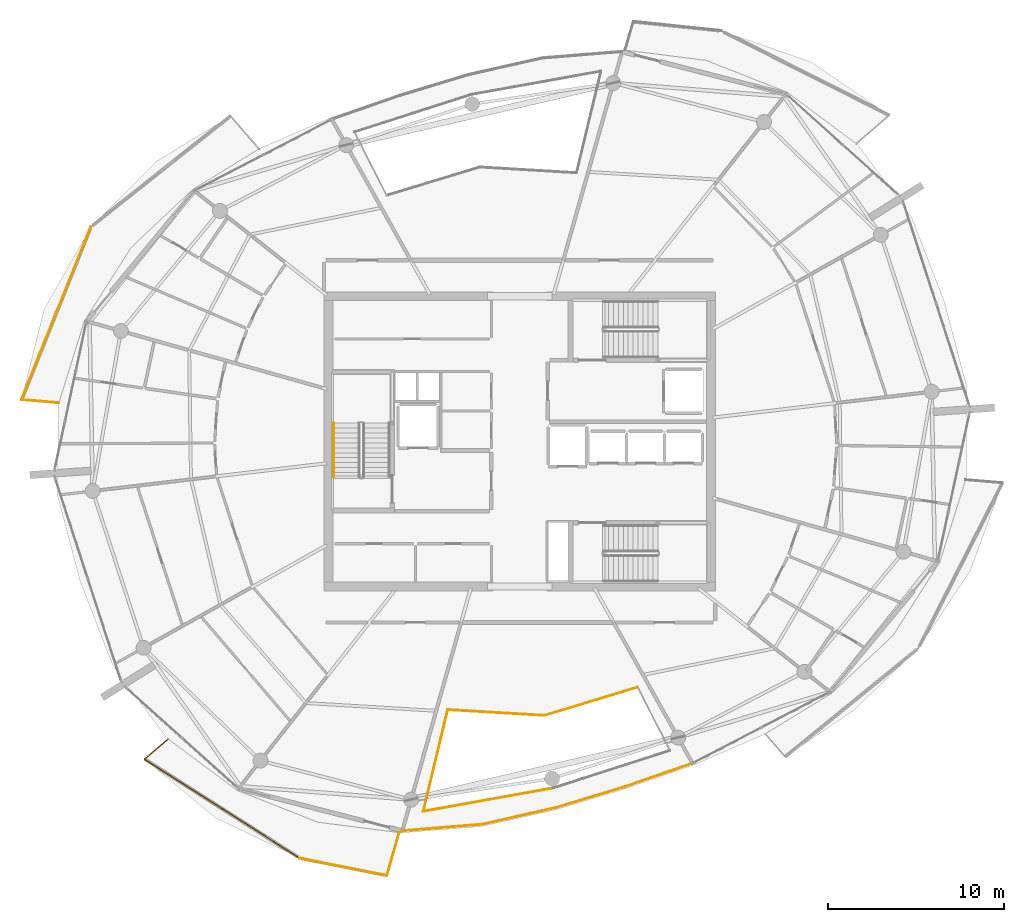
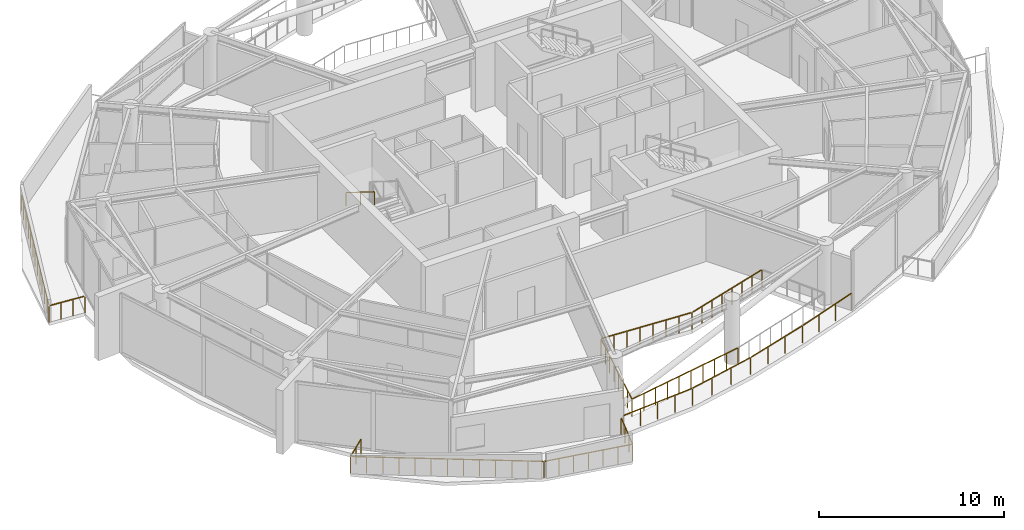
# One storey, part 18 of 22: 12 railings.
"""IFC4 building model written with IfcOpenShell, lengths in metres."""

from ifc_helpers import new_model, si_unit, direction, frame, origin, origin_2d, place, context, subcontext, project, spatial, rectangle, extrude, material, type_object, element, save


model = new_model("IFC4")

# Units and contexts
model_context = context("Model", 3, precision=1e-05, world=origin(), true_north=direction((0.0, 1.0)))
body_context = subcontext(model_context, "Body", "Model", "MODEL_VIEW")
ifc_project = project(units=[si_unit("LENGTHUNIT", "METRE"), si_unit("AREAUNIT", "SQUARE_METRE"), si_unit("VOLUMEUNIT", "CUBIC_METRE"), si_unit("PLANEANGLEUNIT", "RADIAN"), si_unit("MASSUNIT", "GRAM", prefix="KILO")], contexts=[model_context])

# Site, building, storey
site_placement = place(None, origin())
site = spatial("IfcSite", under=ifc_project, at=site_placement, CompositionType="ELEMENT")
building_placement = place(site_placement, origin())
building = spatial("IfcBuilding", under=site, at=building_placement, Name="Kazma Halo Residences", CompositionType="ELEMENT")
storey_placement = place(building_placement, frame((0.0, 0.0, 330.5)))
storey = spatial("IfcBuildingStorey", under=building, at=storey_placement, Name="L83", CompositionType="ELEMENT", Elevation=330.5)

# Railings
ifc_material_1 = material(Name="Aluminium AW-6063 T6 Brushed Cap Rail", Category="aluminium")
railing_type_1 = type_object("IfcRailingType", Name="RLG-BAL-CAP-1120", PredefinedType="BALUSTRADE", material=ifc_material_1)
railing_1_placement = place(storey_placement, frame((24.037841796875, 54.20947265625, 0.0)))
element("IfcRailing", 1, at=railing_1_placement, inside=storey, type_object=railing_type_1, Name="L83 NW wave balcony guard 3", PredefinedType="BALUSTRADE", context=body_context, shape_type="SweptSolid", body=[
    extrude(rectangle(XDim=0.050048828125, YDim=0.050048828125, at=origin_2d()), frame((-0.015869140625, -0.03955078125, 1.09521484375), z_axis=(-0.37226386395, -0.928126939377, 0.0), x_axis=(0.928126939377, -0.37226386395, 0.0)), (0.0, 0.0, 1.0), 10.518310546875),
    extrude(rectangle(XDim=0.0400390625, YDim=0.0400390625, at=origin_2d()), origin(), (0.0, 0.0, 1.0), 1.05810546875),
    extrude(rectangle(XDim=0.0400390625, YDim=0.0400390625, at=origin_2d()), frame((-0.328857421875, -0.820068359375, 0.0)), (0.0, 0.0, 1.0), 1.05810546875),
    extrude(rectangle(XDim=0.0400390625, YDim=0.0400390625, at=origin_2d()), frame((-0.657958984375, -1.64013671875, 0.0)), (0.0, 0.0, 1.0), 1.05810546875),
    extrude(rectangle(XDim=0.0400390625, YDim=0.0400390625, at=origin_2d()), frame((-0.98681640625, -2.46044921875, 0.0)), (0.0, 0.0, 1.0), 1.05810546875),
    extrude(rectangle(XDim=0.0400390625, YDim=0.0400390625, at=origin_2d()), frame((-1.315673828125, -3.280517578125, 0.0)), (0.0, 0.0, 1.0), 1.05810546875),
    extrude(rectangle(XDim=0.0400390625, YDim=0.0400390625, at=origin_2d()), frame((-1.644775390625, -4.1005859375, 0.0)), (0.0, 0.0, 1.0), 1.05810546875),
    extrude(rectangle(XDim=0.0400390625, YDim=0.0400390625, at=origin_2d()), frame((-1.9736328125, -4.920654296875, 0.0)), (0.0, 0.0, 1.0), 1.05810546875),
    extrude(rectangle(XDim=0.0400390625, YDim=0.0400390625, at=origin_2d()), frame((-2.302490234375, -5.74072265625, 0.0)), (0.0, 0.0, 1.0), 1.05810546875),
    extrude(rectangle(XDim=0.0400390625, YDim=0.0400390625, at=origin_2d()), frame((-2.631591796875, -6.560791015625, 0.0)), (0.0, 0.0, 1.0), 1.05810546875),
    extrude(rectangle(XDim=0.0400390625, YDim=0.0400390625, at=origin_2d()), frame((-2.96044921875, -7.380859375, 0.0)), (0.0, 0.0, 1.0), 1.05810546875),
    extrude(rectangle(XDim=0.0400390625, YDim=0.0400390625, at=origin_2d()), frame((-3.289306640625, -8.201171875, 0.0)), (0.0, 0.0, 1.0), 1.05810546875),
    extrude(rectangle(XDim=0.0400390625, YDim=0.0400390625, at=origin_2d()), frame((-3.618408203125, -9.021240234375, 0.0)), (0.0, 0.0, 1.0), 1.05810546875),
    extrude(rectangle(XDim=0.0400390625, YDim=0.0400390625, at=origin_2d()), frame((-3.947265625, -9.84130859375, 0.0)), (0.0, 0.0, 1.0), 1.05810546875),
])
railing_2_placement = place(storey_placement, frame((20.090576171875, 44.3681640625, 0.0)))
element("IfcRailing", 2, at=railing_2_placement, inside=storey, type_object=railing_type_1, Name="L83 NW wave balcony guard 4", PredefinedType="BALUSTRADE", context=body_context, shape_type="SweptSolid", body=[
    extrude(rectangle(XDim=0.050048828125, YDim=0.050048828125, at=origin_2d()), frame((0.04248046875, -0.003662109375, 1.09521484375), z_axis=(0.99641552549, -0.084593738312, 0.0), x_axis=(0.084593738312, 0.99641552549, 0.0)), (0.0, 0.0, 1.0), 2.0419921875),
    extrude(rectangle(XDim=0.0400390625, YDim=0.0400390625, at=origin_2d()), origin(), (0.0, 0.0, 1.0), 1.05810546875),
    extrude(rectangle(XDim=0.0400390625, YDim=0.0400390625, at=origin_2d()), frame((0.70654296875, -0.06005859375, 0.0)), (0.0, 0.0, 1.0), 1.05810546875),
    extrude(rectangle(XDim=0.0400390625, YDim=0.0400390625, at=origin_2d()), frame((1.412841796875, -0.119873046875, 0.0)), (0.0, 0.0, 1.0), 1.05810546875),
    extrude(rectangle(XDim=0.0400390625, YDim=0.0400390625, at=origin_2d()), frame((2.119384765625, -0.179931640625, 0.0)), (0.0, 0.0, 1.0), 1.05810546875),
])
railing_3_placement = place(storey_placement, frame((28.421630859375, 25.070556640625, 0.0)))
element("IfcRailing", 3, at=railing_3_placement, inside=storey, type_object=railing_type_1, Name="L83 SW wave balcony guard 1", PredefinedType="BALUSTRADE", context=body_context, shape_type="SweptSolid", body=[
    extrude(rectangle(XDim=0.050048828125, YDim=0.050048828125, at=origin_2d()), frame((-0.0322265625, -0.02783203125, 1.09521484375), z_axis=(-0.756404061743, -0.654104651702, 0.0), x_axis=(0.654104651702, -0.756404061743, 0.0)), (0.0, 0.0, 1.0), 1.67138671875),
    extrude(rectangle(XDim=0.0400390625, YDim=0.0400390625, at=origin_2d()), origin(), (0.0, 0.0, 1.0), 1.05810546875),
    extrude(rectangle(XDim=0.0400390625, YDim=0.0400390625, at=origin_2d()), frame((-0.664306640625, -0.574462890625, 0.0)), (0.0, 0.0, 1.0), 1.05810546875),
    extrude(rectangle(XDim=0.0400390625, YDim=0.0400390625, at=origin_2d()), frame((-1.32861328125, -1.14892578125, 0.0)), (0.0, 0.0, 1.0), 1.05810546875),
])
railing_4_placement = place(storey_placement, frame((27.093017578125, 23.921630859375, 0.0)))
element("IfcRailing", 4, at=railing_4_placement, inside=storey, type_object=railing_type_1, Name="L83 SW wave balcony guard 2", PredefinedType="BALUSTRADE", context=body_context, shape_type="SweptSolid", body=[
    extrude(rectangle(XDim=0.050048828125, YDim=0.050048828125, at=origin_2d()), frame((0.035888671875, -0.02294921875, 1.09521484375), z_axis=(0.842930984743, -0.538021704915, 0.0), x_axis=(0.538021704915, 0.842930984743, 0.0)), (0.0, 0.0, 1.0), 10.384765625),
    extrude(rectangle(XDim=0.0400390625, YDim=0.0400390625, at=origin_2d()), origin(), (0.0, 0.0, 1.0), 1.05810546875),
    extrude(rectangle(XDim=0.0400390625, YDim=0.0400390625, at=origin_2d()), frame((0.7353515625, -0.469482421875, 0.0)), (0.0, 0.0, 1.0), 1.05810546875),
    extrude(rectangle(XDim=0.0400390625, YDim=0.0400390625, at=origin_2d()), frame((1.470947265625, -0.93896484375, 0.0)), (0.0, 0.0, 1.0), 1.05810546875),
    extrude(rectangle(XDim=0.0400390625, YDim=0.0400390625, at=origin_2d()), frame((2.206298828125, -1.408203125, 0.0)), (0.0, 0.0, 1.0), 1.05810546875),
    extrude(rectangle(XDim=0.0400390625, YDim=0.0400390625, at=origin_2d()), frame((2.94189453125, -1.877685546875, 0.0)), (0.0, 0.0, 1.0), 1.05810546875),
    extrude(rectangle(XDim=0.0400390625, YDim=0.0400390625, at=origin_2d()), frame((3.67724609375, -2.34716796875, 0.0)), (0.0, 0.0, 1.0), 1.05810546875),
    extrude(rectangle(XDim=0.0400390625, YDim=0.0400390625, at=origin_2d()), frame((4.41259765625, -2.81640625, 0.0)), (0.0, 0.0, 1.0), 1.05810546875),
    extrude(rectangle(XDim=0.0400390625, YDim=0.0400390625, at=origin_2d()), frame((5.148193359375, -3.285888671875, 0.0)), (0.0, 0.0, 1.0), 1.05810546875),
    extrude(rectangle(XDim=0.0400390625, YDim=0.0400390625, at=origin_2d()), frame((5.883544921875, -3.75537109375, 0.0)), (0.0, 0.0, 1.0), 1.05810546875),
    extrude(rectangle(XDim=0.0400390625, YDim=0.0400390625, at=origin_2d()), frame((6.619140625, -4.224853515625, 0.0)), (0.0, 0.0, 1.0), 1.05810546875),
    extrude(rectangle(XDim=0.0400390625, YDim=0.0400390625, at=origin_2d()), frame((7.3544921875, -4.6943359375, 0.0)), (0.0, 0.0, 1.0), 1.05810546875),
    extrude(rectangle(XDim=0.0400390625, YDim=0.0400390625, at=origin_2d()), frame((8.090087890625, -5.16357421875, 0.0)), (0.0, 0.0, 1.0), 1.05810546875),
    extrude(rectangle(XDim=0.0400390625, YDim=0.0400390625, at=origin_2d()), frame((8.825439453125, -5.633056640625, 0.0)), (0.0, 0.0, 1.0), 1.05810546875),
])
railing_5_placement = place(storey_placement, frame((35.91845703125, 18.28857421875, 0.0)))
element("IfcRailing", 5, at=railing_5_placement, inside=storey, type_object=railing_type_1, Name="L83 SW wave balcony guard 3", PredefinedType="BALUSTRADE", context=body_context, shape_type="SweptSolid", body=[
    extrude(rectangle(XDim=0.050048828125, YDim=0.050048828125, at=origin_2d()), frame((0.041748046875, -0.00830078125, 1.09521484375), z_axis=(0.980860412957, -0.194712224306, 0.0), x_axis=(0.194712224306, 0.980860412957, 0.0)), (0.0, 0.0, 1.0), 4.96533203125),
    extrude(rectangle(XDim=0.0400390625, YDim=0.0400390625, at=origin_2d()), origin(), (0.0, 0.0, 1.0), 1.05810546875),
    extrude(rectangle(XDim=0.0400390625, YDim=0.0400390625, at=origin_2d()), frame((0.82568359375, -0.163818359375, 0.0)), (0.0, 0.0, 1.0), 1.05810546875),
    extrude(rectangle(XDim=0.0400390625, YDim=0.0400390625, at=origin_2d()), frame((1.6513671875, -0.327880859375, 0.0)), (0.0, 0.0, 1.0), 1.05810546875),
    extrude(rectangle(XDim=0.0400390625, YDim=0.0400390625, at=origin_2d()), frame((2.47705078125, -0.49169921875, 0.0)), (0.0, 0.0, 1.0), 1.05810546875),
    extrude(rectangle(XDim=0.0400390625, YDim=0.0400390625, at=origin_2d()), frame((3.302490234375, -0.655517578125, 0.0)), (0.0, 0.0, 1.0), 1.05810546875),
    extrude(rectangle(XDim=0.0400390625, YDim=0.0400390625, at=origin_2d()), frame((4.128173828125, -0.819580078125, 0.0)), (0.0, 0.0, 1.0), 1.05810546875),
    extrude(rectangle(XDim=0.0400390625, YDim=0.0400390625, at=origin_2d()), frame((4.953857421875, -0.9833984375, 0.0)), (0.0, 0.0, 1.0), 1.05810546875),
])
railing_6_placement = place(storey_placement, frame((40.872314453125, 17.30517578125, 0.0)))
element("IfcRailing", 6, at=railing_6_placement, inside=storey, type_object=railing_type_1, Name="L83 SW wave balcony guard 4", PredefinedType="BALUSTRADE", context=body_context, shape_type="SweptSolid", body=[
    extrude(rectangle(XDim=0.050048828125, YDim=0.050048828125, at=origin_2d()), frame((0.01171875, 0.040771484375, 1.09521484375), z_axis=(0.277271555913, 0.960791592533, 0.0), x_axis=(-0.960791592533, 0.277271555913, 0.0)), (0.0, 0.0, 1.0), 2.455078125),
    extrude(rectangle(XDim=0.0400390625, YDim=0.0400390625, at=origin_2d()), origin(), (0.0, 0.0, 1.0), 1.05810546875),
    extrude(rectangle(XDim=0.0400390625, YDim=0.0400390625, at=origin_2d()), frame((0.23486328125, 0.8134765625, 0.0)), (0.0, 0.0, 1.0), 1.05810546875),
    extrude(rectangle(XDim=0.0400390625, YDim=0.0400390625, at=origin_2d()), frame((0.469482421875, 1.627197265625, 0.0)), (0.0, 0.0, 1.0), 1.05810546875),
    extrude(rectangle(XDim=0.0400390625, YDim=0.0400390625, at=origin_2d()), frame((0.704345703125, 2.440673828125, 0.0)), (0.0, 0.0, 1.0), 1.05810546875),
])
ifc_material_2 = material(Name="Brushed Stainless Steel and Laminated Glass", Category="steel")
railing_type_2 = type_object("IfcRailingType", Name="RLG-EXT-GUARD-1150", PredefinedType="GUARDRAIL", material=ifc_material_2)
railing_7_placement = place(storey_placement, frame((44.3349609375, 26.73388671875, 0.0)))
element("IfcRailing", 7, at=railing_7_placement, inside=storey, type_object=railing_type_2, Name="L83 upper wind-portal edge guard 2.1", PredefinedType="GUARDRAIL", context=body_context, shape_type="SweptSolid", body=[
    extrude(rectangle(XDim=0.050048828125, YDim=0.050048828125, at=origin_2d()), frame((0.04248046875, -0.00244140625, 1.125), z_axis=(0.998263068552, -0.058913886013, 0.0), x_axis=(0.058913886013, 0.998263068552, 0.0)), (0.0, 0.0, 1.0), 5.434814453125),
    extrude(rectangle(XDim=0.0400390625, YDim=0.0400390625, at=origin_2d()), origin(), (0.0, 0.0, 1.0), 1.087890625),
    extrude(rectangle(XDim=0.0400390625, YDim=0.0400390625, at=origin_2d()), frame((0.787109375, -0.04638671875, 0.0)), (0.0, 0.0, 1.0), 1.087890625),
    extrude(rectangle(XDim=0.0400390625, YDim=0.0400390625, at=origin_2d()), frame((1.574462890625, -0.093017578125, 0.0)), (0.0, 0.0, 1.0), 1.087890625),
    extrude(rectangle(XDim=0.0400390625, YDim=0.0400390625, at=origin_2d()), frame((2.361572265625, -0.139404296875, 0.0)), (0.0, 0.0, 1.0), 1.087890625),
    extrude(rectangle(XDim=0.0400390625, YDim=0.0400390625, at=origin_2d()), frame((3.148681640625, -0.185791015625, 0.0)), (0.0, 0.0, 1.0), 1.087890625),
    extrude(rectangle(XDim=0.0400390625, YDim=0.0400390625, at=origin_2d()), frame((3.935791015625, -0.232177734375, 0.0)), (0.0, 0.0, 1.0), 1.087890625),
    extrude(rectangle(XDim=0.0400390625, YDim=0.0400390625, at=origin_2d()), frame((4.72314453125, -0.27880859375, 0.0)), (0.0, 0.0, 1.0), 1.087890625),
    extrude(rectangle(XDim=0.0400390625, YDim=0.0400390625, at=origin_2d()), frame((5.51025390625, -0.3251953125, 0.0)), (0.0, 0.0, 1.0), 1.087890625),
])
railing_8_placement = place(storey_placement, frame((49.84521484375, 26.40869140625, 0.0)))
element("IfcRailing", 8, at=railing_8_placement, inside=storey, type_object=railing_type_2, Name="L83 upper wind-portal edge guard 2.2", PredefinedType="GUARDRAIL", context=body_context, shape_type="SweptSolid", body=[
    extrude(rectangle(XDim=0.050048828125, YDim=0.050048828125, at=origin_2d()), frame((0.040771484375, 0.012451171875, 1.125), z_axis=(0.956934342561, 0.290304433358, 0.0), x_axis=(-0.290304433358, 0.956934342561, 0.0)), (0.0, 0.0, 1.0), 5.43505859375),
    extrude(rectangle(XDim=0.0400390625, YDim=0.0400390625, at=origin_2d()), origin(), (0.0, 0.0, 1.0), 1.087890625),
    extrude(rectangle(XDim=0.0400390625, YDim=0.0400390625, at=origin_2d()), frame((0.754638671875, 0.22900390625, 0.0)), (0.0, 0.0, 1.0), 1.087890625),
    extrude(rectangle(XDim=0.0400390625, YDim=0.0400390625, at=origin_2d()), frame((1.50927734375, 0.457763671875, 0.0)), (0.0, 0.0, 1.0), 1.087890625),
    extrude(rectangle(XDim=0.0400390625, YDim=0.0400390625, at=origin_2d()), frame((2.263916015625, 0.686767578125, 0.0)), (0.0, 0.0, 1.0), 1.087890625),
    extrude(rectangle(XDim=0.0400390625, YDim=0.0400390625, at=origin_2d()), frame((3.0185546875, 0.915771484375, 0.0)), (0.0, 0.0, 1.0), 1.087890625),
    extrude(rectangle(XDim=0.0400390625, YDim=0.0400390625, at=origin_2d()), frame((3.773193359375, 1.144775390625, 0.0)), (0.0, 0.0, 1.0), 1.087890625),
    extrude(rectangle(XDim=0.0400390625, YDim=0.0400390625, at=origin_2d()), frame((4.52783203125, 1.37353515625, 0.0)), (0.0, 0.0, 1.0), 1.087890625),
    extrude(rectangle(XDim=0.0400390625, YDim=0.0400390625, at=origin_2d()), frame((5.282470703125, 1.6025390625, 0.0)), (0.0, 0.0, 1.0), 1.087890625),
])
railing_9_placement = place(storey_placement, frame((50.333984375, 22.2802734375, 0.0)))
element("IfcRailing", 9, at=railing_9_placement, inside=storey, type_object=railing_type_2, Name="L83 upper wind-portal edge guard 2.5", PredefinedType="GUARDRAIL", context=body_context, shape_type="SweptSolid", body=[
    extrude(rectangle(XDim=0.050048828125, YDim=0.050048828125, at=origin_2d()), frame((-0.0419921875, -0.007568359375, 1.125), z_axis=(-0.984235798799, -0.176861223455, 0.0), x_axis=(0.176861223455, -0.984235798799, 0.0)), (0.0, 0.0, 1.0), 7.420166015625),
    extrude(rectangle(XDim=0.0400390625, YDim=0.0400390625, at=origin_2d()), origin(), (0.0, 0.0, 1.0), 1.087890625),
    extrude(rectangle(XDim=0.0400390625, YDim=0.0400390625, at=origin_2d()), frame((-0.82080078125, -0.1474609375, 0.0)), (0.0, 0.0, 1.0), 1.087890625),
    extrude(rectangle(XDim=0.0400390625, YDim=0.0400390625, at=origin_2d()), frame((-1.6416015625, -0.294921875, 0.0)), (0.0, 0.0, 1.0), 1.087890625),
    extrude(rectangle(XDim=0.0400390625, YDim=0.0400390625, at=origin_2d()), frame((-2.46240234375, -0.4423828125, 0.0)), (0.0, 0.0, 1.0), 1.087890625),
    extrude(rectangle(XDim=0.0400390625, YDim=0.0400390625, at=origin_2d()), frame((-3.283203125, -0.58984375, 0.0)), (0.0, 0.0, 1.0), 1.087890625),
    extrude(rectangle(XDim=0.0400390625, YDim=0.0400390625, at=origin_2d()), frame((-4.103759765625, -0.737548828125, 0.0)), (0.0, 0.0, 1.0), 1.087890625),
    extrude(rectangle(XDim=0.0400390625, YDim=0.0400390625, at=origin_2d()), frame((-4.924560546875, -0.885009765625, 0.0)), (0.0, 0.0, 1.0), 1.087890625),
    extrude(rectangle(XDim=0.0400390625, YDim=0.0400390625, at=origin_2d()), frame((-5.745361328125, -1.032470703125, 0.0)), (0.0, 0.0, 1.0), 1.087890625),
    extrude(rectangle(XDim=0.0400390625, YDim=0.0400390625, at=origin_2d()), frame((-6.566162109375, -1.179931640625, 0.0)), (0.0, 0.0, 1.0), 1.087890625),
    extrude(rectangle(XDim=0.0400390625, YDim=0.0400390625, at=origin_2d()), frame((-7.386962890625, -1.327392578125, 0.0)), (0.0, 0.0, 1.0), 1.087890625),
])
railing_10_placement = place(storey_placement, frame((42.947021484375, 20.952880859375, 0.0)))
element("IfcRailing", 10, at=railing_10_placement, inside=storey, type_object=railing_type_2, Name="L83 upper wind-portal edge guard 2.6", PredefinedType="GUARDRAIL", context=body_context, shape_type="SweptSolid", body=[
    extrude(rectangle(XDim=0.050048828125, YDim=0.050048828125, at=origin_2d()), frame((0.010009765625, 0.041259765625, 1.125), z_axis=(0.233452160997, 0.972368288523, 0.0), x_axis=(-0.972368288523, 0.233452160997, 0.0)), (0.0, 0.0, 1.0), 5.860107421875),
    extrude(rectangle(XDim=0.0400390625, YDim=0.0400390625, at=origin_2d()), origin(), (0.0, 0.0, 1.0), 1.087890625),
    extrude(rectangle(XDim=0.0400390625, YDim=0.0400390625, at=origin_2d()), frame((0.1982421875, 0.825927734375, 0.0)), (0.0, 0.0, 1.0), 1.087890625),
    extrude(rectangle(XDim=0.0400390625, YDim=0.0400390625, at=origin_2d()), frame((0.396484375, 1.651611328125, 0.0)), (0.0, 0.0, 1.0), 1.087890625),
    extrude(rectangle(XDim=0.0400390625, YDim=0.0400390625, at=origin_2d()), frame((0.5947265625, 2.4775390625, 0.0)), (0.0, 0.0, 1.0), 1.087890625),
    extrude(rectangle(XDim=0.0400390625, YDim=0.0400390625, at=origin_2d()), frame((0.793212890625, 3.303466796875, 0.0)), (0.0, 0.0, 1.0), 1.087890625),
    extrude(rectangle(XDim=0.0400390625, YDim=0.0400390625, at=origin_2d()), frame((0.991455078125, 4.12939453125, 0.0)), (0.0, 0.0, 1.0), 1.087890625),
    extrude(rectangle(XDim=0.0400390625, YDim=0.0400390625, at=origin_2d()), frame((1.189697265625, 4.955078125, 0.0)), (0.0, 0.0, 1.0), 1.087890625),
    extrude(rectangle(XDim=0.0400390625, YDim=0.0400390625, at=origin_2d()), frame((1.387939453125, 5.781005859375, 0.0)), (0.0, 0.0, 1.0), 1.087890625),
])
railing_11_placement = place(storey_placement, frame((41.751953125, 19.84619140625, 0.0)))
element("IfcRailing", 11, at=railing_11_placement, inside=storey, type_object=railing_type_2, Name="L83 upper wind-portal outer rim guard 2", PredefinedType="GUARDRAIL", context=body_context, shape_type="SweptSolid", body=[
    extrude(rectangle(XDim=0.050048828125, YDim=0.050048828125, at=origin_2d()), frame((0.04248046875, 0.00341796875, 1.125), z_axis=(0.996709972845, 0.081050786741, 0.0), x_axis=(-0.081050786741, 0.996709972845, 0.0)), (0.0, 0.0, 1.0), 4.46337890625),
    extrude(rectangle(XDim=0.050048828125, YDim=0.050048828125, at=origin_2d()), frame((4.574951171875, 0.3779296875, 1.125), z_axis=(0.975482432849, 0.220077311878, 0.0), x_axis=(-0.220077311878, 0.975482432849, 0.0)), (0.0, 0.0, 1.0), 4.201416015625),
    extrude(rectangle(XDim=0.050048828125, YDim=0.050048828125, at=origin_2d()), frame((8.755615234375, 1.32421875, 1.125), z_axis=(0.957126127976, 0.289671495225, 0.0), x_axis=(-0.289671495225, 0.957126127976, 0.0)), (0.0, 0.0, 1.0), 4.01025390625),
    extrude(rectangle(XDim=0.050048828125, YDim=0.050048828125, at=origin_2d()), frame((12.6748046875, 2.51220703125, 1.125), z_axis=(0.944594872531, 0.328238521184, 0.0), x_axis=(-0.328238521184, 0.944594872531, 0.0)), (0.0, 0.0, 1.0), 4.01025390625),
    extrude(rectangle(XDim=0.0400390625, YDim=0.0400390625, at=origin_2d()), origin(), (0.0, 0.0, 1.0), 1.087890625),
    extrude(rectangle(XDim=0.0400390625, YDim=0.0400390625, at=origin_2d()), frame((1.13330078125, 0.09228515625, 0.0)), (0.0, 0.0, 1.0), 1.087890625),
    extrude(rectangle(XDim=0.0400390625, YDim=0.0400390625, at=origin_2d()), frame((2.2666015625, 0.184326171875, 0.0)), (0.0, 0.0, 1.0), 1.087890625),
    extrude(rectangle(XDim=0.0400390625, YDim=0.0400390625, at=origin_2d()), frame((3.400146484375, 0.2763671875, 0.0)), (0.0, 0.0, 1.0), 1.087890625),
    extrude(rectangle(XDim=0.0400390625, YDim=0.0400390625, at=origin_2d()), frame((4.533447265625, 0.36865234375, 0.0)), (0.0, 0.0, 1.0), 1.087890625),
    extrude(rectangle(XDim=0.0400390625, YDim=0.0400390625, at=origin_2d()), frame((5.92724609375, 0.68310546875, 0.0)), (0.0, 0.0, 1.0), 1.087890625),
    extrude(rectangle(XDim=0.0400390625, YDim=0.0400390625, at=origin_2d()), frame((7.321044921875, 0.99755859375, 0.0)), (0.0, 0.0, 1.0), 1.087890625),
    extrude(rectangle(XDim=0.0400390625, YDim=0.0400390625, at=origin_2d()), frame((8.71484375, 1.31201171875, 0.0)), (0.0, 0.0, 1.0), 1.087890625),
    extrude(rectangle(XDim=0.0400390625, YDim=0.0400390625, at=origin_2d()), frame((10.021484375, 1.70751953125, 0.0)), (0.0, 0.0, 1.0), 1.087890625),
    extrude(rectangle(XDim=0.0400390625, YDim=0.0400390625, at=origin_2d()), frame((11.327880859375, 2.102783203125, 0.0)), (0.0, 0.0, 1.0), 1.087890625),
    extrude(rectangle(XDim=0.0400390625, YDim=0.0400390625, at=origin_2d()), frame((12.634521484375, 2.498291015625, 0.0)), (0.0, 0.0, 1.0), 1.087890625),
    extrude(rectangle(XDim=0.0400390625, YDim=0.0400390625, at=origin_2d()), frame((13.924072265625, 2.9462890625, 0.0)), (0.0, 0.0, 1.0), 1.087890625),
    extrude(rectangle(XDim=0.0400390625, YDim=0.0400390625, at=origin_2d()), frame((15.21337890625, 3.39453125, 0.0)), (0.0, 0.0, 1.0), 1.087890625),
    extrude(rectangle(XDim=0.0400390625, YDim=0.0400390625, at=origin_2d()), frame((16.5029296875, 3.842529296875, 0.0)), (0.0, 0.0, 1.0), 1.087890625),
])
ifc_material_3 = material(Name="Brushed Stainless Steel", Category="steel")
railing_type_3 = type_object("IfcRailingType", Name="RLG-STAIR-HND-900", PredefinedType="HANDRAIL", material=ifc_material_3)
railing_12_placement = place(storey_placement, frame((37.85009765625, 43.030029296875, 2.27490234375)))
element("IfcRailing", 12, at=railing_12_placement, inside=storey, type_object=railing_type_3, Name="L83 ST-01 stair handrail 2", PredefinedType="HANDRAIL", context=body_context, shape_type="SweptSolid", body=[
    extrude(rectangle(XDim=0.050048828125, YDim=0.050048828125, at=origin_2d()), frame((0.0, -0.0361328125, 0.8974609375), z_axis=(0.0, -0.847998304005, 0.529998940003), x_axis=(1.0, 0.0, 0.0)), (0.0, 0.0, 1.0), 3.547119140625),
    extrude(rectangle(XDim=0.0400390625, YDim=0.0400390625, at=origin_2d()), origin(), (0.0, 0.0, 1.0), 0.837890625),
    extrude(rectangle(XDim=0.0400390625, YDim=0.0400390625, at=origin_2d()), frame((0.0, -1.5400390625, 0.96240234375)), (0.0, 0.0, 1.0), 0.837890625),
    extrude(rectangle(XDim=0.0400390625, YDim=0.0400390625, at=origin_2d()), frame((0.0, -3.080078125, 1.925048828125)), (0.0, 0.0, 1.0), 0.837890625),
])

save(model, "model.ifc")
